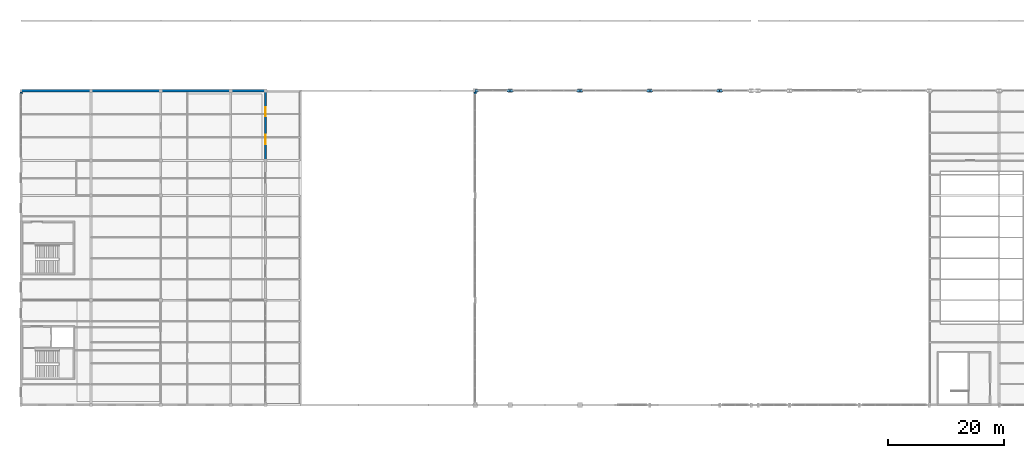
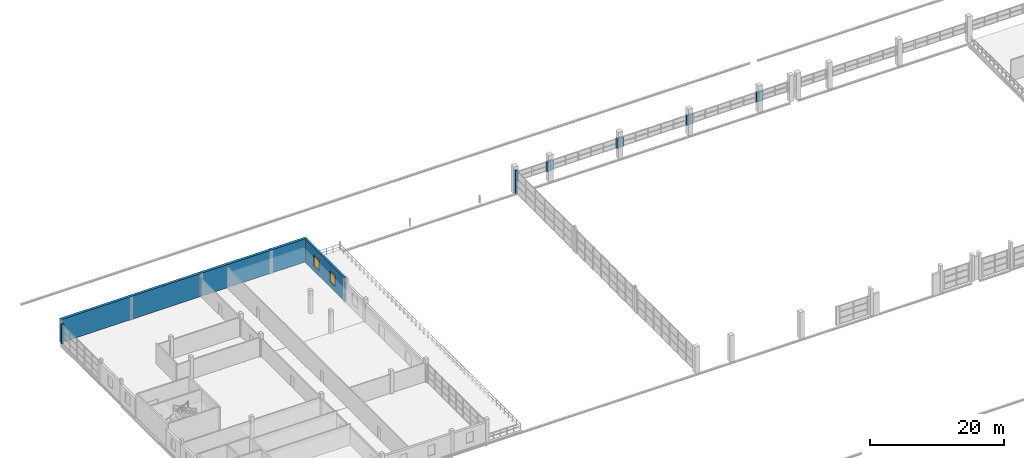
# One storey, part 81 of 86: 16 walls, 2 windows, 2 openings.
"""IFC4 building model written with IfcOpenShell, lengths in metres."""

from ifc_helpers import new_model, si_unit, direction, frame, frame_2d, origin, place, context, subcontext, project, spatial, rectangle, extrude, material, layer, layer_set, type_object, element, fill, save


model = new_model("IFC4")

# Units and contexts
model_context = context("Model", 3, precision=1e-05, world=origin(), true_north=direction((0.0, 1.0)))
body_context = subcontext(model_context, "Body", "Model", "MODEL_VIEW")
ifc_project = project(units=[si_unit("LENGTHUNIT", "METRE"), si_unit("AREAUNIT", "SQUARE_METRE"), si_unit("VOLUMEUNIT", "CUBIC_METRE"), si_unit("PLANEANGLEUNIT", "RADIAN"), si_unit("MASSUNIT", "GRAM", prefix="KILO")], contexts=[model_context])

# Site, building, storey
site_placement = place(None, origin())
site = spatial("IfcSite", under=ifc_project, at=site_placement, CompositionType="ELEMENT")
building_placement = place(site_placement, origin())
building = spatial("IfcBuilding", under=site, at=building_placement, Name="Zilviju Railside Exhibition Hall", CompositionType="ELEMENT")
storey_placement = place(building_placement, frame((0.0, 0.0, 12.60009765625)))
storey = spatial("IfcBuildingStorey", under=building, at=storey_placement, Name="L04", CompositionType="ELEMENT", Elevation=12.60009765625)

# Wall, openings, windows
ifc_material_1 = material(Name="Insulated terrace foyer masonry wall", Category="masonry")
ifc_layer_1 = layer(ifc_material_1, 0.340087890625)
ifc_layer_set_1 = layer_set([ifc_layer_1], Name="Insulated terrace foyer masonry wall")
wall_type_1 = type_object("IfcWallType", Name="WL-EXT-340", PredefinedType="SOLIDWALL", material=ifc_layer_set_1)
wall_1_placement = place(storey_placement, frame((42.0, 138.0, 0.0), z_axis=(0.0, 0.0, 1.0), x_axis=(0.0, -1.0, 0.0)))
wall_1 = element("IfcWall", 1, at=wall_1_placement, inside=storey, type_object=wall_type_1, Name="Exterior Facade Wall L04 East 0497", PredefinedType="SOLIDWALL", context=body_context, shape_type="SweptSolid", body=[
    extrude(rectangle(XDim=12.0, YDim=0.340087890625, at=frame_2d((6.0, 0.0))), origin(), (0.0, 0.0, 1.0), 4.199951171875),
])
opening_1_placement = place(wall_1_placement, frame((2.800048828125, 0.0, 0.89990234375)))
opening_1 = element("IfcOpeningElement", 2, at=opening_1_placement, cuts=wall_1, Name="Opening WN-02", PredefinedType="OPENING", context=body_context, shape_type="SweptSolid", body=[
    extrude(rectangle(XDim=1.60009765625, YDim=2.0, at=frame_2d((0.800048828125, 1.0))), frame((0.0, 0.179931640625, 0.0), z_axis=(0.0, -1.0, 0.0), x_axis=(1.0, 0.0, 0.0)), (0.0, 0.0, 1.0), 0.360107421875),
])
opening_2_placement = place(wall_1_placement, frame((7.60009765625, 0.0, 0.89990234375)))
opening_2 = element("IfcOpeningElement", 3, at=opening_2_placement, cuts=wall_1, Name="Opening WN-02", PredefinedType="OPENING", context=body_context, shape_type="SweptSolid", body=[
    extrude(rectangle(XDim=1.60009765625, YDim=2.0, at=frame_2d((0.800048828125, 1.0))), frame((0.0, 0.179931640625, 0.0), z_axis=(0.0, -1.0, 0.0), x_axis=(1.0, 0.0, 0.0)), (0.0, 0.0, 1.0), 0.360107421875),
])
ifc_material_2 = material(Name="Triple-glazed timber-aluminium window unit", Category="wood")
window_type = type_object("IfcWindowType", Name="WIN-JUG-160x200", PartitioningType="DOUBLE_PANEL_VERTICAL", PredefinedType="WINDOW", material=ifc_material_2)
window_1_placement = place(opening_1_placement, origin())
window_1 = element("IfcWindow", 4, at=window_1_placement, inside=storey, type_object=window_type, Name="Facade Window L04 WN-0059", OverallHeight=2.0, OverallWidth=1.60009765625, PartitioningType="SINGLE_PANEL", PredefinedType="WINDOW", context=body_context, shape_type="SweptSolid", body=[
    extrude(rectangle(XDim=1.60009765625, YDim=2.0, at=frame_2d((0.800048828125, 1.0))), frame((0.0, 0.030029296875, 0.0), z_axis=(0.0, -1.0, 0.0), x_axis=(1.0, 0.0, 0.0)), (0.0, 0.0, 1.0), 0.06005859375),
])
fill(opening_1, window_1)
window_2_placement = place(opening_2_placement, origin())
window_2 = element("IfcWindow", 5, at=window_2_placement, inside=storey, type_object=window_type, Name="Facade Window L04 WN-0060", OverallHeight=2.0, OverallWidth=1.60009765625, PartitioningType="SINGLE_PANEL", PredefinedType="WINDOW", context=body_context, shape_type="SweptSolid", body=[
    extrude(rectangle(XDim=1.60009765625, YDim=2.0, at=frame_2d((0.800048828125, 1.0))), frame((0.0, 0.030029296875, 0.0), z_axis=(0.0, -1.0, 0.0), x_axis=(1.0, 0.0, 0.0)), (0.0, 0.0, 1.0), 0.06005859375),
])
fill(opening_2, window_2)

# Walls
ifc_material_3 = material(Name="Insulated cream-brick upper facade wall", Category="masonry")
ifc_layer_2 = layer(ifc_material_3, 0.3798828125)
ifc_layer_set_2 = layer_set([ifc_layer_2], Name="Insulated cream-brick upper facade wall")
wall_type_2 = type_object("IfcWallType", Name="WL-EXT-380", PredefinedType="SOLIDWALL", material=ifc_layer_set_2)
for number, where, z_axis, x_axis, name in (
    (6, (78.0, 138.0, 1.7998046875), (0.0, 0.0, 1.0), (1.0, 0.0, 0.0), "Curtain-Wall Jamb Closure Pier L04 0284"),
    (7, (83.449951171875, 138.0, 1.7998046875), (0.0, 0.0, 1.0), (1.0, 0.0, 0.0), "Curtain-Wall Jamb Closure Pier L04 0285"),
):
    element("IfcWall", number, at=place(storey_placement, frame(where, z_axis=z_axis, x_axis=x_axis)), inside=storey, type_object=wall_type_2, Name=name, PredefinedType="SOLIDWALL", context=body_context, shape_type="SweptSolid", body=[
        extrude(rectangle(XDim=0.550048828125, YDim=0.3798828125, at=frame_2d((0.27490234375, 0.0))), origin(), (0.0, 0.0, 1.0), 1.75),
    ])
wall_2_placement = place(storey_placement, frame((84.001953125, 138.0, 1.7998046875), z_axis=(0.0, 0.0, 1.0), x_axis=(1.0, 0.0, 0.0)))
element("IfcWall", 8, at=wall_2_placement, inside=storey, type_object=wall_type_2, Name="Curtain-Wall Jamb Closure Pier L04 0286", PredefinedType="SOLIDWALL", context=body_context, shape_type="SweptSolid", body=[
    extrude(rectangle(XDim=0.548095703125, YDim=0.3798828125, at=frame_2d((0.27392578125, 0.0))), origin(), (0.0, 0.0, 1.0), 1.75),
])
wall_3_placement = place(storey_placement, frame((95.449951171875, 138.0, 1.7998046875), z_axis=(0.0, 0.0, 1.0), x_axis=(1.0, 0.0, 0.0)))
element("IfcWall", 9, at=wall_3_placement, inside=storey, type_object=wall_type_2, Name="Curtain-Wall Jamb Closure Pier L04 0287", PredefinedType="SOLIDWALL", context=body_context, shape_type="SweptSolid", body=[
    extrude(rectangle(XDim=0.550048828125, YDim=0.3798828125, at=frame_2d((0.27490234375, 0.0))), origin(), (0.0, 0.0, 1.0), 1.75),
])
wall_4_placement = place(storey_placement, frame((96.001953125, 138.0, 1.7998046875), z_axis=(0.0, 0.0, 1.0), x_axis=(1.0, 0.0, 0.0)))
element("IfcWall", 10, at=wall_4_placement, inside=storey, type_object=wall_type_2, Name="Curtain-Wall Jamb Closure Pier L04 0288", PredefinedType="SOLIDWALL", context=body_context, shape_type="SweptSolid", body=[
    extrude(rectangle(XDim=0.548095703125, YDim=0.3798828125, at=frame_2d((0.27392578125, 0.0))), origin(), (0.0, 0.0, 1.0), 1.75),
])
wall_5_placement = place(storey_placement, frame((107.449951171875, 138.0, 1.7998046875), z_axis=(0.0, 0.0, 1.0), x_axis=(1.0, 0.0, 0.0)))
element("IfcWall", 11, at=wall_5_placement, inside=storey, type_object=wall_type_2, Name="Curtain-Wall Jamb Closure Pier L04 0289", PredefinedType="SOLIDWALL", context=body_context, shape_type="SweptSolid", body=[
    extrude(rectangle(XDim=0.550048828125, YDim=0.3798828125, at=frame_2d((0.27490234375, 0.0))), origin(), (0.0, 0.0, 1.0), 1.75),
])
wall_6_placement = place(storey_placement, frame((108.001953125, 138.0, 1.7998046875), z_axis=(0.0, 0.0, 1.0), x_axis=(1.0, 0.0, 0.0)))
element("IfcWall", 12, at=wall_6_placement, inside=storey, type_object=wall_type_2, Name="Curtain-Wall Jamb Closure Pier L04 0290", PredefinedType="SOLIDWALL", context=body_context, shape_type="SweptSolid", body=[
    extrude(rectangle(XDim=0.548095703125, YDim=0.3798828125, at=frame_2d((0.27392578125, 0.0))), origin(), (0.0, 0.0, 1.0), 1.75),
])
wall_7_placement = place(storey_placement, frame((119.449951171875, 138.0, 1.7998046875), z_axis=(0.0, 0.0, 1.0), x_axis=(1.0, 0.0, 0.0)))
element("IfcWall", 13, at=wall_7_placement, inside=storey, type_object=wall_type_2, Name="Curtain-Wall Jamb Closure Pier L04 0291", PredefinedType="SOLIDWALL", context=body_context, shape_type="SweptSolid", body=[
    extrude(rectangle(XDim=0.550048828125, YDim=0.3798828125, at=frame_2d((0.27490234375, 0.0))), origin(), (0.0, 0.0, 1.0), 1.75),
])
wall_8_placement = place(storey_placement, frame((120.001953125, 138.0, 1.7998046875), z_axis=(0.0, 0.0, 1.0), x_axis=(1.0, 0.0, 0.0)))
element("IfcWall", 14, at=wall_8_placement, inside=storey, type_object=wall_type_2, Name="Curtain-Wall Jamb Closure Pier L04 0292", PredefinedType="SOLIDWALL", context=body_context, shape_type="SweptSolid", body=[
    extrude(rectangle(XDim=0.548095703125, YDim=0.3798828125, at=frame_2d((0.27392578125, 0.0))), origin(), (0.0, 0.0, 1.0), 1.75),
])
wall_9_placement = place(storey_placement, frame((78.0, 137.449951171875, 0.0), z_axis=(0.0, 0.0, 1.0), x_axis=(0.0, 1.0, 0.0)))
element("IfcWall", 15, at=wall_9_placement, inside=storey, type_object=wall_type_2, Name="Curtain-Wall Jamb Closure Pier L04 0324", PredefinedType="SOLIDWALL", context=body_context, shape_type="SweptSolid", body=[
    extrude(rectangle(XDim=0.358154296875, YDim=0.3798828125, at=frame_2d((0.17919921875, 0.0))), origin(), (0.0, 0.0, 1.0), 4.199951171875),
])
wall_10_placement = place(storey_placement, frame((0.0, 137.449951171875, 0.0), z_axis=(0.0, 0.0, 1.0), x_axis=(0.0, 1.0, 0.0)))
element("IfcWall", 16, at=wall_10_placement, inside=storey, type_object=wall_type_2, Name="Curtain-Wall Jamb Closure Pier L04 0492", PredefinedType="SOLIDWALL", context=body_context, shape_type="SweptSolid", body=[
    extrude(rectangle(XDim=0.328125, YDim=0.3798828125, at=frame_2d((0.1640625, 0.0))), origin(), (0.0, 0.0, 1.0), 3.5),
])
ifc_material_4 = material(Name="Concrete C40/50", Category="concrete")
ifc_layer_3 = layer(ifc_material_4, 0.43994140625)
ifc_layer_set_3 = layer_set([ifc_layer_3], Name="Concrete C40/50")
wall_type_3 = type_object("IfcWallType", Name="WL-EXT-AC440", PredefinedType="SHEAR", material=ifc_layer_set_3)
for number, where, z_axis, x_axis, name in (
    (17, (0.0, 138.0, 0.0), (0.0, 0.0, 1.0), (1.0, 0.0, 0.0), "Exterior Facade Wall L04 North 0499"),
    (18, (12.0, 138.0, 0.0), (0.0, 0.0, 1.0), (1.0, 0.0, 0.0), "Exterior Facade Wall L04 North 0501"),
    (19, (24.0, 138.0, 0.0), (0.0, 0.0, 1.0), (1.0, 0.0, 0.0), "Exterior Facade Wall L04 North 0503"),
):
    element("IfcWall", number, at=place(storey_placement, frame(where, z_axis=z_axis, x_axis=x_axis)), inside=storey, type_object=wall_type_3, Name=name, PredefinedType="SHEAR", context=body_context, shape_type="SweptSolid", body=[
        extrude(rectangle(XDim=12.0, YDim=0.43994140625, at=frame_2d((6.0, 0.0))), origin(), (0.0, 0.0, 1.0), 4.199951171875),
    ])
wall_11_placement = place(storey_placement, frame((36.0, 138.0, 0.0), z_axis=(0.0, 0.0, 1.0), x_axis=(1.0, 0.0, 0.0)))
element("IfcWall", 20, at=wall_11_placement, inside=storey, type_object=wall_type_3, Name="Exterior Facade Wall L04 North 0505", PredefinedType="SHEAR", context=body_context, shape_type="SweptSolid", body=[
    extrude(rectangle(XDim=6.0, YDim=0.43994140625, at=frame_2d((3.0, 0.0))), origin(), (0.0, 0.0, 1.0), 4.199951171875),
])

save(model, "model.ifc")
